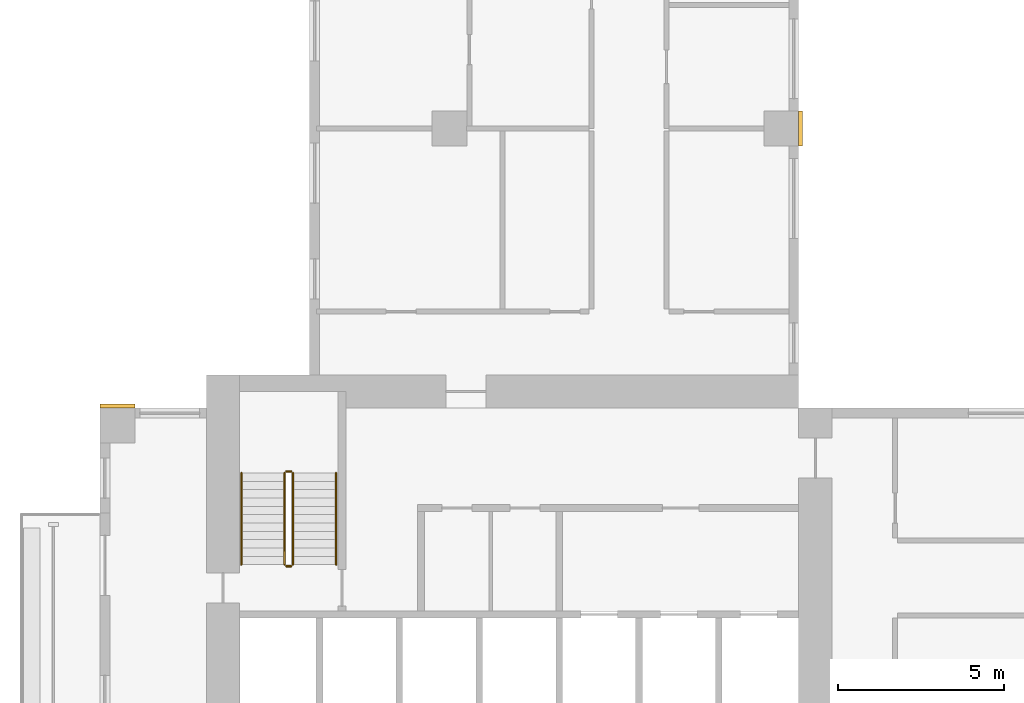
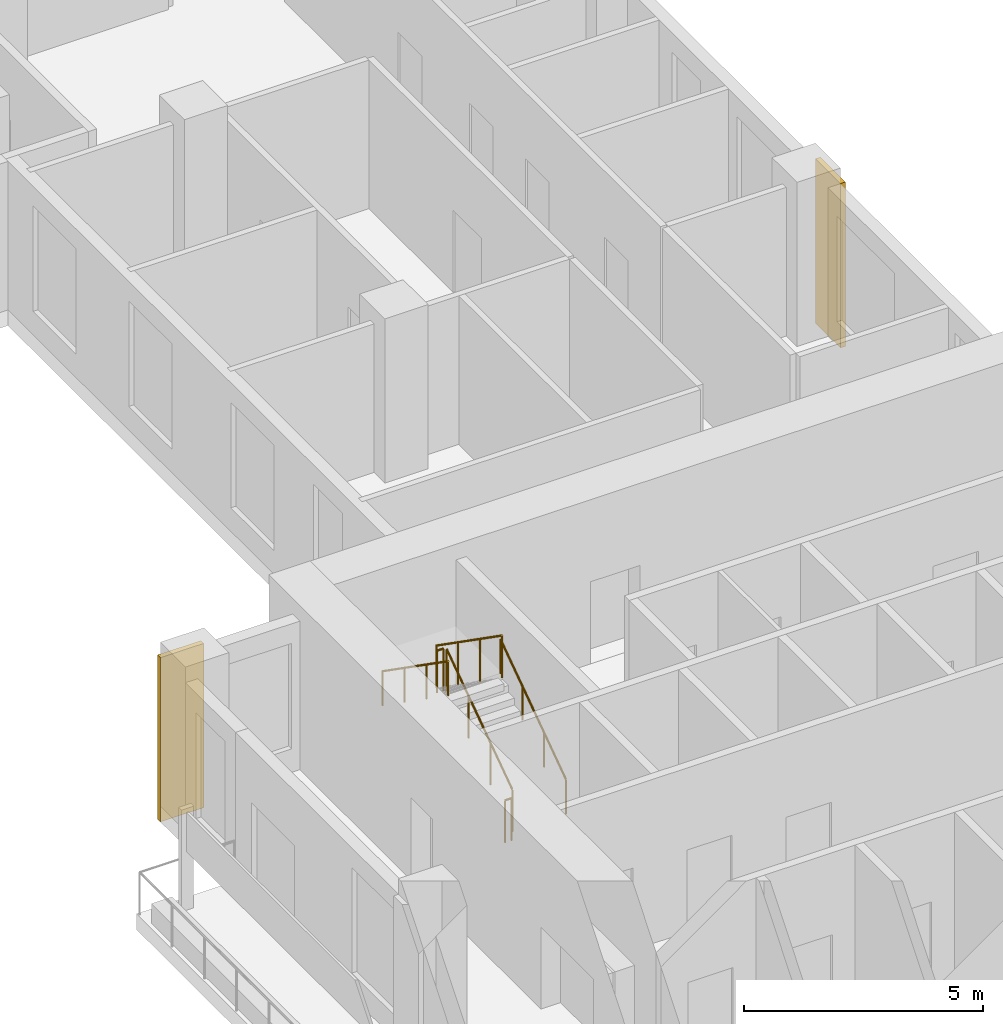
# One storey, part 10 of 13: 6 railings, 2 coverings.
"""IFC4 building model written with IfcOpenShell, lengths in metres."""

from ifc_helpers import new_model, si_unit, direction, frame, origin, origin_2d, place, context, subcontext, project, spatial, rectangle, circle, extrude, source, transform, mapped, material, type_object, element, save


model = new_model("IFC4")

# Units and contexts
model_context = context("Model", 3, precision=1e-05, world=origin(), true_north=direction((0.0, 1.0)))
body_context = subcontext(model_context, "Body", "Model", "MODEL_VIEW")
ifc_project = project(units=[si_unit("LENGTHUNIT", "METRE"), si_unit("AREAUNIT", "SQUARE_METRE"), si_unit("VOLUMEUNIT", "CUBIC_METRE"), si_unit("PLANEANGLEUNIT", "RADIAN"), si_unit("MASSUNIT", "GRAM", prefix="KILO")], contexts=[model_context])

# Site, building, storey
site_placement = place(None, origin())
site = spatial("IfcSite", under=ifc_project, at=site_placement, CompositionType="ELEMENT")
building_placement = place(site_placement, origin())
building = spatial("IfcBuilding", under=site, at=building_placement, Name="Aurelian Terraces", CompositionType="ELEMENT")
storey_placement = place(building_placement, frame((0.0, 0.0, 158.1)))
storey = spatial("IfcBuildingStorey", under=building, at=storey_placement, Name="L35", CompositionType="ELEMENT", Elevation=158.1)

# Coverings
ifc_material_1 = material(Name="Terracotta rainscreen cladding relief", Category="masonry")
covering_type = type_object("IfcCoveringType", Name="BAGUETTE-TC", PredefinedType="CLADDING", material=ifc_material_1)
shared_shape_1 = source(origin(), body_context, "Body", "SweptSolid", [
    extrude(rectangle(XDim=1.05, YDim=0.12, at=origin_2d()), origin(), (0.0, 0.0, 1.0), 4.2),
])
covering_1_placement = place(storey_placement, frame((0.525, 21.06, -0.4), z_axis=(0.0, 0.0, 1.0), x_axis=(1.0, 0.0, 0.0)))
element("IfcCovering", 1, at=covering_1_placement, inside=storey, type_object=covering_type, Name="BAGUETTE pier L35 6", PredefinedType="CLADDING", context=body_context, shape_type="MappedRepresentation", body=[
    mapped(shared_shape_1, transform((0.0, 0.0, 0.0), scale=1.0)),
])
shared_shape_2 = source(origin(), body_context, "Body", "SweptSolid", [
    extrude(rectangle(XDim=0.12, YDim=1.05, at=origin_2d()), origin(), (0.0, 0.0, 1.0), 4.2),
])
covering_2_placement = place(storey_placement, frame((21.06, 29.4, -0.4), z_axis=(0.0, 0.0, 1.0), x_axis=(1.0, 0.0, 0.0)))
element("IfcCovering", 2, at=covering_2_placement, inside=storey, type_object=covering_type, Name="BAGUETTE pier L35 10", PredefinedType="CLADDING", context=body_context, shape_type="MappedRepresentation", body=[
    mapped(shared_shape_2, transform((0.0, 0.0, 0.0), scale=1.0)),
])

# Railings
ifc_material_2 = material(Name="Stainless steel", Category="steel")
railing_type_1 = type_object("IfcRailingType", Name="Stair guard 1100", PredefinedType="GUARDRAIL", material=ifc_material_2)
shared_shape_3 = source(origin(), body_context, "Body", "SweptSolid", [
    extrude(circle(Radius=0.024, at=origin_2d()), frame((0.0, 0.0, 1.076), z_axis=(-1.0, 0.0, 0.0), x_axis=(0.0, -1.0, 0.0)), (0.0, 0.0, 1.0), 0.15),
    extrude(circle(Radius=0.021, at=origin_2d()), origin(), (0.0, 0.0, 1.0), 1.052),
    extrude(circle(Radius=0.021, at=origin_2d()), frame((-0.15, 0.0, 0.0)), (0.0, 0.0, 1.0), 1.052),
])
for number, where, name in (
    (3, (5.75, 19.1, 2.1), "L35 S1 stair guard 2"),
    (4, (5.75, 16.25, 0.0), "L35 S1 stair guard 4"),
):
    element("IfcRailing", number, at=place(storey_placement, frame(where)), inside=storey, type_object=railing_type_1, Name=name, PredefinedType="GUARDRAIL", context=body_context, shape_type="MappedRepresentation", body=[
        mapped(shared_shape_3, transform((0.0, 0.0, 0.0), scale=1.0)),
    ])
shared_shape_4 = source(origin(), body_context, "Body", "SweptSolid", [
    extrude(circle(Radius=0.024, at=origin_2d()), frame((0.0, 0.0, 1.076), z_axis=(0.0, 0.819231920519, 0.573462344363), x_axis=(-1.0, 0.0, 0.0)), (0.0, 0.0, 1.0), 3.3568),
    extrude(circle(Radius=0.021, at=origin_2d()), origin(), (0.0, 0.0, 1.0), 1.052),
    extrude(circle(Radius=0.021, at=origin_2d()), frame((0.0, 0.9167, 0.6417)), (0.0, 0.0, 1.0), 1.052),
    extrude(circle(Radius=0.021, at=origin_2d()), frame((0.0, 1.8333, 1.2833)), (0.0, 0.0, 1.0), 1.052),
    extrude(circle(Radius=0.021, at=origin_2d()), frame((0.0, 2.75, 1.925)), (0.0, 0.0, 1.0), 1.052),
])
railing_1_placement = place(storey_placement, frame((5.8, 16.3, 0.175)))
element("IfcRailing", 5, at=railing_1_placement, inside=storey, type_object=railing_type_1, Name="L35 S1 stair guard 1", PredefinedType="GUARDRAIL", context=body_context, shape_type="MappedRepresentation", body=[
    mapped(shared_shape_4, transform((0.0, 0.0, 0.0), scale=1.0)),
])
shared_shape_5 = source(origin(), body_context, "Body", "SweptSolid", [
    extrude(circle(Radius=0.024, at=origin_2d()), frame((0.0, 0.0, 1.076), z_axis=(0.0, -0.819231920519, 0.573462344363), x_axis=(1.0, 0.0, 0.0)), (0.0, 0.0, 1.0), 3.3568),
    extrude(circle(Radius=0.021, at=origin_2d()), origin(), (0.0, 0.0, 1.0), 1.052),
    extrude(circle(Radius=0.021, at=origin_2d()), frame((0.0, -0.9167, 0.6417)), (0.0, 0.0, 1.0), 1.052),
    extrude(circle(Radius=0.021, at=origin_2d()), frame((0.0, -1.8333, 1.2833)), (0.0, 0.0, 1.0), 1.052),
    extrude(circle(Radius=0.021, at=origin_2d()), frame((0.0, -2.75, 1.925)), (0.0, 0.0, 1.0), 1.052),
])
railing_2_placement = place(storey_placement, frame((5.55, 19.05, 2.275)))
element("IfcRailing", 6, at=railing_2_placement, inside=storey, type_object=railing_type_1, Name="L35 S1 stair guard 3", PredefinedType="GUARDRAIL", context=body_context, shape_type="MappedRepresentation", body=[
    mapped(shared_shape_5, transform((0.0, 0.0, 0.0), scale=1.0)),
])
railing_type_2 = type_object("IfcRailingType", Name="Stair handrail", PredefinedType="HANDRAIL", material=ifc_material_2)
shared_shape_6 = source(origin(), body_context, "Body", "SweptSolid", [
    extrude(circle(Radius=0.024, at=origin_2d()), frame((0.0, 0.0, 0.876), z_axis=(0.0, 0.819231920519, 0.573462344363), x_axis=(-1.0, 0.0, 0.0)), (0.0, 0.0, 1.0), 3.3568),
    extrude(circle(Radius=0.021, at=origin_2d()), origin(), (0.0, 0.0, 1.0), 0.852),
    extrude(circle(Radius=0.021, at=origin_2d()), frame((0.0, 0.9167, 0.6417)), (0.0, 0.0, 1.0), 0.852),
    extrude(circle(Radius=0.021, at=origin_2d()), frame((0.0, 1.8333, 1.2833)), (0.0, 0.0, 1.0), 0.852),
    extrude(circle(Radius=0.021, at=origin_2d()), frame((0.0, 2.75, 1.925)), (0.0, 0.0, 1.0), 0.852),
])
railing_3_placement = place(storey_placement, frame((7.1, 16.3, 0.175)))
element("IfcRailing", 7, at=railing_3_placement, inside=storey, type_object=railing_type_2, Name="L35 S1 stair handrail 1", PredefinedType="HANDRAIL", context=body_context, shape_type="MappedRepresentation", body=[
    mapped(shared_shape_6, transform((0.0, 0.0, 0.0), scale=1.0)),
])
shared_shape_7 = source(origin(), body_context, "Body", "SweptSolid", [
    extrude(circle(Radius=0.024, at=origin_2d()), frame((0.0, 0.0, 0.876), z_axis=(0.0, -0.819231920519, 0.573462344363), x_axis=(1.0, 0.0, 0.0)), (0.0, 0.0, 1.0), 3.3568),
    extrude(circle(Radius=0.021, at=origin_2d()), origin(), (0.0, 0.0, 1.0), 0.852),
    extrude(circle(Radius=0.021, at=origin_2d()), frame((0.0, -0.9167, 0.6417)), (0.0, 0.0, 1.0), 0.852),
    extrude(circle(Radius=0.021, at=origin_2d()), frame((0.0, -1.8333, 1.2833)), (0.0, 0.0, 1.0), 0.852),
    extrude(circle(Radius=0.021, at=origin_2d()), frame((0.0, -2.75, 1.925)), (0.0, 0.0, 1.0), 0.852),
])
railing_4_placement = place(storey_placement, frame((4.25, 19.05, 2.275)))
element("IfcRailing", 8, at=railing_4_placement, inside=storey, type_object=railing_type_2, Name="L35 S1 stair handrail 2", PredefinedType="HANDRAIL", context=body_context, shape_type="MappedRepresentation", body=[
    mapped(shared_shape_7, transform((0.0, 0.0, 0.0), scale=1.0)),
])

save(model, "model.ifc")
